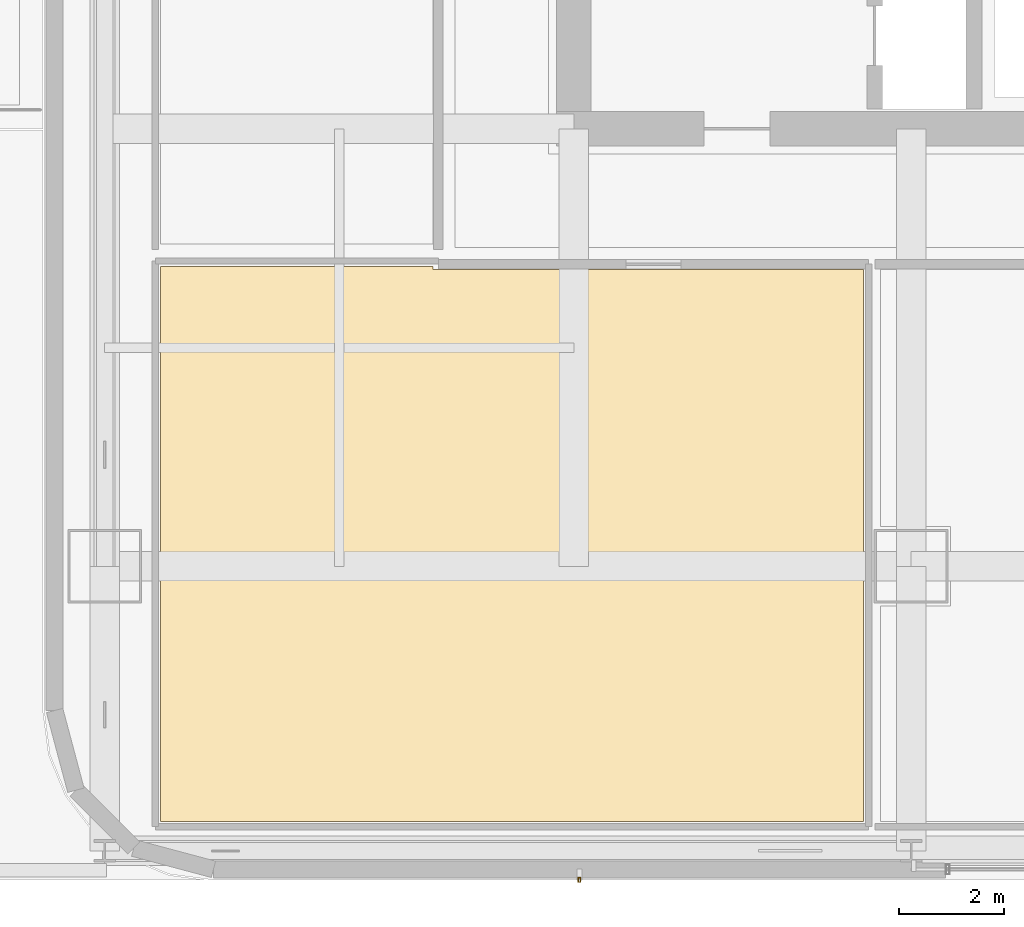
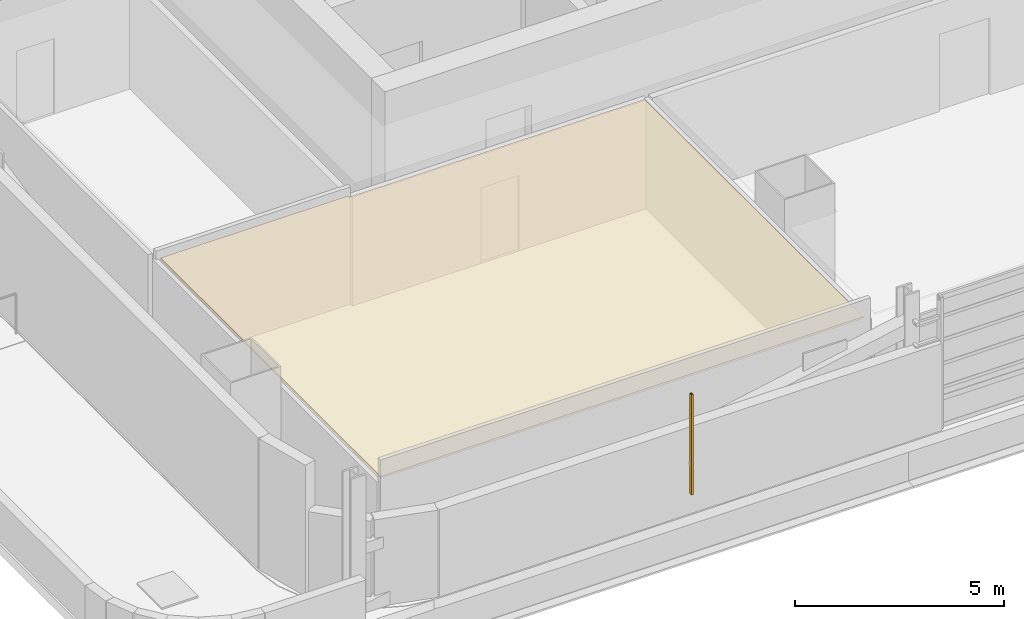
# One storey, part 16 of 27: 1 covering, 1 shading device.
"""IFC4 building model written with IfcOpenShell, lengths in metres."""

from ifc_helpers import new_model, si_unit, direction, frame, origin, origin_2d, place, context, subcontext, project, spatial, polyline, hollow_rectangle, outline, extrude, material, layer, layer_set, material_profile, profile_set, type_object, element, save


model = new_model("IFC4")

# Units and contexts
model_context = context("Model", 3, precision=1e-05, world=origin(), true_north=direction((0.0, 1.0)))
body_context = subcontext(model_context, "Body", "Model", "MODEL_VIEW")
ifc_project = project(units=[si_unit("LENGTHUNIT", "METRE"), si_unit("AREAUNIT", "SQUARE_METRE"), si_unit("VOLUMEUNIT", "CUBIC_METRE"), si_unit("PLANEANGLEUNIT", "RADIAN"), si_unit("MASSUNIT", "GRAM", prefix="KILO")], contexts=[model_context])

# Site, building, storey
site_placement = place(None, origin())
site = spatial("IfcSite", under=ifc_project, at=site_placement, CompositionType="ELEMENT")
building_placement = place(site_placement, origin())
building = spatial("IfcBuilding", under=site, at=building_placement, Name="Punatoya Terracotta Tower", CompositionType="ELEMENT")
storey_placement = place(building_placement, frame((0.0, 0.0, 204.60009765625)))
storey = spatial("IfcBuildingStorey", under=building, at=storey_placement, Name="L48", CompositionType="ELEMENT", Elevation=204.60009765625)

# Covering
ifc_material_1 = material(Name="Acoustic Mineral Fibre Ceiling")
ifc_layer = layer(ifc_material_1, 0.06005859375)
ifc_layer_set = layer_set([ifc_layer], Name="Acoustic Mineral Fibre Ceiling")
covering_type = type_object("IfcCoveringType", Name="COV-CEIL-60", PredefinedType="CEILING", material=ifc_layer_set)
covering_placement = place(storey_placement, frame((0.0, 0.0, 3.159912109375)))
element("IfcCovering", 1, at=covering_placement, inside=storey, type_object=covering_type, Name="L48 Client Media Salon Acoustic Ceiling", PredefinedType="CEILING", context=body_context, shape_type="SweptSolid", body=[
    extrude(outline(polyline([(-12.8701171875, -11.8701171875), (-12.8701171875, -11.81005859375), (-18.0400390625, -11.81005859375), (-18.0400390625, -22.340087890625), (-4.705078125, -22.340087890625), (-4.705078125, -11.8701171875), (-12.8701171875, -11.8701171875)])), origin(), (0.0, 0.0, 1.0), 0.06005859375),
])

# Shading device
ifc_material_2 = material(Name="Architectural Fired Terracotta", Category="masonry")
ifc_material_profile = material_profile(ifc_material_2, hollow_rectangle(XDim=0.06005859375, YDim=0.090087890625, WallThickness=0.013916015625, at=origin_2d()))
ifc_profile_set = profile_set([ifc_material_profile], Name="Architectural Fired Terracotta")
shading_device_type = type_object("IfcShadingDeviceType", Name="SHD-JALI-90", PredefinedType="JALOUSIE", material=ifc_profile_set)
shading_device_placement = place(storey_placement, frame((-10.093505859375, -23.449951171875, 0.599853515625), z_axis=(0.0, 0.0, 1.0), x_axis=(1.0, 0.0, 0.0)))
element("IfcShadingDevice", 2, at=shading_device_placement, inside=storey, type_object=shading_device_type, Name="L48 Braced Bay Terracotta Jali Fin S1", PredefinedType="JALOUSIE", context=body_context, shape_type="SweptSolid", body=[
    extrude(hollow_rectangle(XDim=0.06005859375, YDim=0.090087890625, WallThickness=0.013916015625, at=origin_2d()), origin(), (0.0, 0.0, 1.0), 2.929931640625),
])

save(model, "model.ifc")
